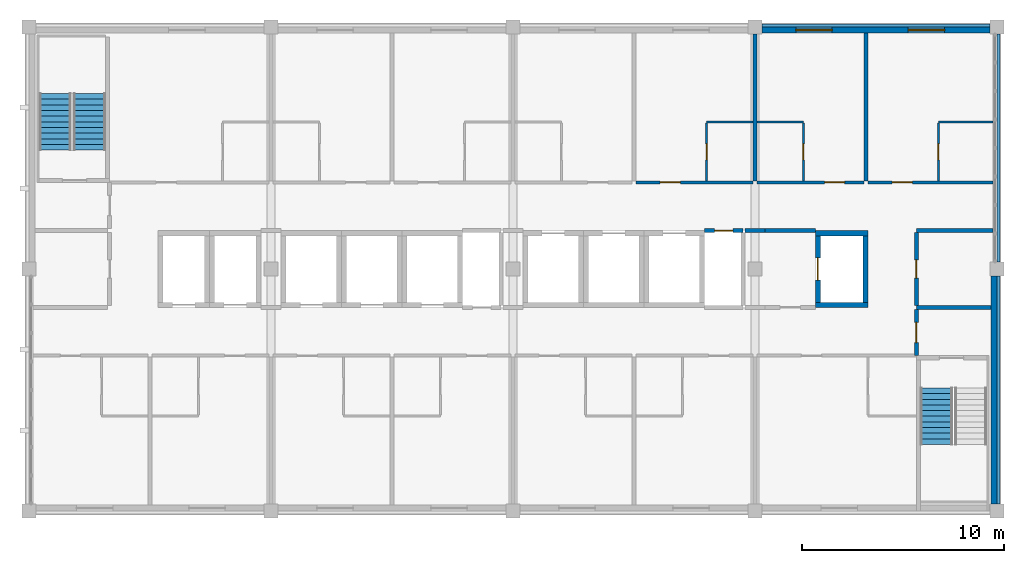
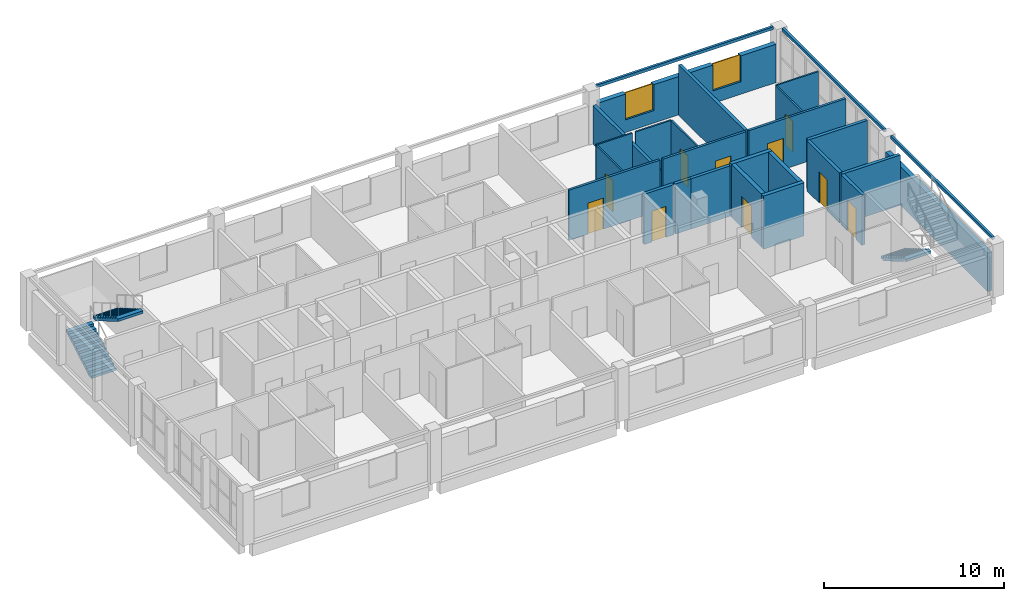
# One storey, part 9 of 11: 27 walls, 10 doors, 3 stair flights, 2 windows, 12 openings, 2 elements without a shape of their own.
"""IFC4 building model written with IfcOpenShell, lengths in metres."""

from ifc_helpers import new_model, si_unit, direction, frame, frame_2d, origin, place, context, subcontext, project, spatial, polyline, rectangle, outline, extrude, material, layer, layer_set, type_object, element, fill, aggregate, save


model = new_model("IFC4")

# Units and contexts
model_context = context("Model", 3, precision=1e-05, world=origin(), true_north=direction((0.0, 1.0)))
body_context = subcontext(model_context, "Body", "Model", "MODEL_VIEW")
ifc_project = project(units=[si_unit("LENGTHUNIT", "METRE"), si_unit("AREAUNIT", "SQUARE_METRE"), si_unit("VOLUMEUNIT", "CUBIC_METRE"), si_unit("PLANEANGLEUNIT", "RADIAN"), si_unit("MASSUNIT", "GRAM", prefix="KILO")], contexts=[model_context])

# Site, building, storey
site_placement = place(None, origin())
site = spatial("IfcSite", under=ifc_project, at=site_placement, CompositionType="ELEMENT")
building_placement = place(site_placement, origin())
building = spatial("IfcBuilding", under=site, at=building_placement, Name="Lilac Gate Convention Centre", CompositionType="ELEMENT")
storey_placement = place(building_placement, frame((0.0, 0.0, 64.199951171875)))
storey = spatial("IfcBuildingStorey", under=building, at=storey_placement, Name="L16", CompositionType="ELEMENT", Elevation=64.199951171875)

# Walls
ifc_material_1 = material(Name="Concrete C40", Category="concrete")
ifc_layer_1 = layer(ifc_material_1, 0.25)
ifc_layer_set_1 = layer_set([ifc_layer_1], Name="Concrete C40")
wall_type_1 = type_object("IfcWallType", Name="Core wall 250 C40", PredefinedType="SHEAR", material=ifc_layer_set_1)
for number, where, z_axis, x_axis, name in (
    (1, (81.0, 232.22509765625, 0.0), (0.0, 0.0, 1.0), (1.0, 0.0, 0.0), "CRW5 core wall TC L16 33"),
    (2, (81.0, 235.77490234375, 0.0), (0.0, 0.0, 1.0), (1.0, 0.0, 0.0), "CRW5 core wall TC L16 34"),
):
    element("IfcWall", number, at=place(storey_placement, frame(where, z_axis=z_axis, x_axis=x_axis)), inside=storey, type_object=wall_type_1, Name=name, PredefinedType="SHEAR", context=body_context, shape_type="SweptSolid", body=[
        extrude(rectangle(XDim=2.60009765625, YDim=0.25, at=frame_2d((1.300048828125, 0.0))), origin(), (0.0, 0.0, 1.0), 3.60009765625),
    ])

# Wall, opening, door
wall_1_placement = place(storey_placement, frame((81.125, 232.35009765625, 0.0), z_axis=(0.0, 0.0, 1.0), x_axis=(0.0, 1.0, 0.0)))
wall_1 = element("IfcWall", 3, at=wall_1_placement, inside=storey, type_object=wall_type_1, Name="CRW5 core wall TC L16 35", PredefinedType="SHEAR", context=body_context, shape_type="SweptSolid", body=[
    extrude(rectangle(XDim=3.2998046875, YDim=0.25, at=frame_2d((1.64990234375, 0.0))), origin(), (0.0, 0.0, 1.0), 3.60009765625),
])
opening_1_placement = place(wall_1_placement, frame((1.10009765625, 0.0, 0.0)))
opening_1 = element("IfcOpeningElement", 4, at=opening_1_placement, cuts=wall_1, Name="Opening T15-044", PredefinedType="OPENING", context=body_context, shape_type="SweptSolid", body=[
    extrude(rectangle(XDim=1.10009765625, YDim=2.10009765625, at=frame_2d((0.550048828125, 1.050048828125))), frame((0.0, 0.135009765625, 0.0), z_axis=(0.0, -1.0, 0.0), x_axis=(1.0, 0.0, 0.0)), (0.0, 0.0, 1.0), 0.27001953125),
])
ifc_material_2 = material(Name="Stainless steel 304", Category="steel")
door_type_1 = type_object("IfcDoorType", Name="Lift landing door 1100", OperationType="SLIDING_TO_LEFT", PredefinedType="DOOR", material=ifc_material_2)
door_1_placement = place(opening_1_placement, origin())
door_1 = element("IfcDoor", 5, at=door_1_placement, inside=storey, type_object=door_type_1, Name="Lift landing door TF1 L16", OperationType="SLIDING_TO_LEFT", OverallHeight=2.10009765625, OverallWidth=1.10009765625, PredefinedType="DOOR", context=body_context, shape_type="SweptSolid", body=[
    extrude(rectangle(XDim=1.10009765625, YDim=2.10009765625, at=frame_2d((0.550048828125, 1.050048828125))), frame((0.0, 0.02490234375, 0.0), z_axis=(0.0, -1.0, 0.0), x_axis=(1.0, 0.0, 0.0)), (0.0, 0.0, 1.0), 0.050048828125),
])
fill(opening_1, door_1)

# Wall
wall_2_placement = place(storey_placement, frame((83.47509765625, 232.35009765625, 0.0), z_axis=(0.0, 0.0, 1.0), x_axis=(0.0, 1.0, 0.0)))
element("IfcWall", 6, at=wall_2_placement, inside=storey, type_object=wall_type_1, Name="CRW5 core wall TC L16 36", PredefinedType="SHEAR", context=body_context, shape_type="SweptSolid", body=[
    extrude(rectangle(XDim=3.2998046875, YDim=0.25, at=frame_2d((1.64990234375, 0.0))), origin(), (0.0, 0.0, 1.0), 3.60009765625),
])

# Wall, opening, door
ifc_material_3 = material(Name="Gypsum board on steel stud", Category="steel")
ifc_layer_2 = layer(ifc_material_3, 0.14990234375)
ifc_layer_set_2 = layer_set([ifc_layer_2], Name="Gypsum board on steel stud")
wall_type_2 = type_object("IfcWallType", Name="Corridor wall 150", PredefinedType="PARTITIONING", material=ifc_layer_set_2)
wall_3_placement = place(storey_placement, frame((72.10009765625, 238.300048828125, 0.0), z_axis=(0.0, 0.0, 1.0), x_axis=(1.0, 0.0, 0.0)))
wall_3 = element("IfcWall", 7, at=wall_3_placement, inside=storey, type_object=wall_type_2, Name="Corridor wall 150 front 1612", PredefinedType="PARTITIONING", context=body_context, shape_type="SweptSolid", body=[
    extrude(rectangle(XDim=5.7998046875, YDim=0.14990234375, at=frame_2d((2.89990234375, 0.0))), origin(), (0.0, 0.0, 1.0), 3.400146484375),
])
opening_2_placement = place(wall_3_placement, frame((1.199951171875, 0.0, 0.0)))
opening_2 = element("IfcOpeningElement", 8, at=opening_2_placement, cuts=wall_3, Name="Opening T15-030", PredefinedType="OPENING", context=body_context, shape_type="SweptSolid", body=[
    extrude(rectangle(XDim=1.0, YDim=2.10009765625, at=frame_2d((0.5, 1.050048828125))), frame((0.0, 0.0849609375, 0.0), z_axis=(0.0, -1.0, 0.0), x_axis=(1.0, 0.0, 0.0)), (0.0, 0.0, 1.0), 0.169921875),
])
ifc_material_4 = material(Name="Timber", Category="wood")
door_type_2 = type_object("IfcDoorType", Name="Guest room entrance door 1000", OperationType="SINGLE_SWING_LEFT", PredefinedType="DOOR", material=ifc_material_4)
door_2_placement = place(opening_2_placement, origin())
door_2 = element("IfcDoor", 9, at=door_2_placement, inside=storey, type_object=door_type_2, Name="Guest room door 1612", OperationType="SINGLE_SWING_LEFT", OverallHeight=2.10009765625, OverallWidth=1.0, PredefinedType="DOOR", context=body_context, shape_type="SweptSolid", body=[
    extrude(rectangle(XDim=1.0, YDim=2.10009765625, at=frame_2d((0.5, 1.050048828125))), frame((0.0, 0.02490234375, 0.0), z_axis=(0.0, -1.0, 0.0), x_axis=(1.0, 0.0, 0.0)), (0.0, 0.0, 1.0), 0.050048828125),
])
fill(opening_2, door_2)

wall_4_placement = place(storey_placement, frame((78.10009765625, 238.300048828125, 0.0), z_axis=(0.0, 0.0, 1.0), x_axis=(1.0, 0.0, 0.0)))
wall_4 = element("IfcWall", 10, at=wall_4_placement, inside=storey, type_object=wall_type_2, Name="Corridor wall 150 front 1613", PredefinedType="PARTITIONING", context=body_context, shape_type="SweptSolid", body=[
    extrude(rectangle(XDim=5.2998046875, YDim=0.14990234375, at=frame_2d((2.64990234375, 0.0))), origin(), (0.0, 0.0, 1.0), 3.400146484375),
])
opening_3_placement = place(wall_4_placement, frame((3.35009765625, 0.0, 0.0)))
opening_3 = element("IfcOpeningElement", 11, at=opening_3_placement, cuts=wall_4, Name="Opening T15-032", PredefinedType="OPENING", context=body_context, shape_type="SweptSolid", body=[
    extrude(rectangle(XDim=1.0, YDim=2.10009765625, at=frame_2d((0.5, 1.050048828125))), frame((0.0, 0.0849609375, 0.0), z_axis=(0.0, -1.0, 0.0), x_axis=(1.0, 0.0, 0.0)), (0.0, 0.0, 1.0), 0.169921875),
])
door_3_placement = place(opening_3_placement, origin())
door_3 = element("IfcDoor", 12, at=door_3_placement, inside=storey, type_object=door_type_2, Name="Guest room door 1613", OperationType="SINGLE_SWING_LEFT", OverallHeight=2.10009765625, OverallWidth=1.0, PredefinedType="DOOR", context=body_context, shape_type="SweptSolid", body=[
    extrude(rectangle(XDim=1.0, YDim=2.10009765625, at=frame_2d((0.5, 1.050048828125))), frame((0.0, 0.02490234375, 0.0), z_axis=(0.0, -1.0, 0.0), x_axis=(1.0, 0.0, 0.0)), (0.0, 0.0, 1.0), 0.050048828125),
])
fill(opening_3, door_3)

wall_5_placement = place(storey_placement, frame((83.60009765625, 238.300048828125, 0.0), z_axis=(0.0, 0.0, 1.0), x_axis=(1.0, 0.0, 0.0)))
wall_5 = element("IfcWall", 13, at=wall_5_placement, inside=storey, type_object=wall_type_2, Name="Corridor wall 150 front 1614", PredefinedType="PARTITIONING", context=body_context, shape_type="SweptSolid", body=[
    extrude(rectangle(XDim=6.19970703125, YDim=0.14990234375, at=frame_2d((3.099853515625, 0.0))), origin(), (0.0, 0.0, 1.0), 3.400146484375),
])
opening_4_placement = place(wall_5_placement, frame((1.199951171875, 0.0, 0.0)))
opening_4 = element("IfcOpeningElement", 14, at=opening_4_placement, cuts=wall_5, Name="Opening T15-034", PredefinedType="OPENING", context=body_context, shape_type="SweptSolid", body=[
    extrude(rectangle(XDim=1.0, YDim=2.10009765625, at=frame_2d((0.5, 1.050048828125))), frame((0.0, 0.0849609375, 0.0), z_axis=(0.0, -1.0, 0.0), x_axis=(1.0, 0.0, 0.0)), (0.0, 0.0, 1.0), 0.169921875),
])
door_4_placement = place(opening_4_placement, origin())
door_4 = element("IfcDoor", 15, at=door_4_placement, inside=storey, type_object=door_type_2, Name="Guest room door 1614", OperationType="SINGLE_SWING_LEFT", OverallHeight=2.10009765625, OverallWidth=1.0, PredefinedType="DOOR", context=body_context, shape_type="SweptSolid", body=[
    extrude(rectangle(XDim=1.0, YDim=2.10009765625, at=frame_2d((0.5, 1.050048828125))), frame((0.0, 0.02490234375, 0.0), z_axis=(0.0, -1.0, 0.0), x_axis=(1.0, 0.0, 0.0)), (0.0, 0.0, 1.0), 0.050048828125),
])
fill(opening_4, door_4)

# Wall
ifc_layer_3 = layer(ifc_material_3, 0.10009765625)
ifc_layer_set_3 = layer_set([ifc_layer_3], Name="Gypsum board on steel stud")
wall_type_3 = type_object("IfcWallType", Name="En-suite wall 100", PredefinedType="PARTITIONING", material=ifc_layer_set_3)
wall_6_placement = place(storey_placement, frame((75.60009765625, 241.300048828125, 0.0), z_axis=(0.0, 0.0, 1.0), x_axis=(1.0, 0.0, 0.0)))
element("IfcWall", 16, at=wall_6_placement, inside=storey, type_object=wall_type_3, Name="En-suite wall 100 bath 1612", PredefinedType="PARTITIONING", context=body_context, shape_type="SweptSolid", body=[
    extrude(rectangle(XDim=2.2998046875, YDim=0.10009765625, at=frame_2d((1.14990234375, 0.0))), origin(), (0.0, 0.0, 1.0), 3.400146484375),
])

# Wall, opening, door
wall_7_placement = place(storey_placement, frame((75.60009765625, 238.375, 0.0), z_axis=(0.0, 0.0, 1.0), x_axis=(0.0, 1.0, 0.0)))
wall_7 = element("IfcWall", 17, at=wall_7_placement, inside=storey, type_object=wall_type_3, Name="En-suite wall 100 bath side 1612", PredefinedType="PARTITIONING", context=body_context, shape_type="SweptSolid", body=[
    extrude(rectangle(XDim=2.875, YDim=0.10009765625, at=frame_2d((1.4375, 0.0))), origin(), (0.0, 0.0, 1.0), 3.400146484375),
])
opening_5_placement = place(wall_7_placement, frame((1.03759765625, 0.0, 0.0)))
opening_5 = element("IfcOpeningElement", 18, at=opening_5_placement, cuts=wall_7, Name="Opening T15-031", PredefinedType="OPENING", context=body_context, shape_type="SweptSolid", body=[
    extrude(rectangle(XDim=0.800048828125, YDim=2.10009765625, at=frame_2d((0.39990234375, 1.050048828125))), frame((0.0, 0.06005859375, 0.0), z_axis=(0.0, -1.0, 0.0), x_axis=(1.0, 0.0, 0.0)), (0.0, 0.0, 1.0), 0.1201171875),
])
door_type_3 = type_object("IfcDoorType", Name="En-suite door 800", OperationType="SINGLE_SWING_LEFT", PredefinedType="DOOR", material=ifc_material_4)
door_5_placement = place(opening_5_placement, origin())
door_5 = element("IfcDoor", 19, at=door_5_placement, inside=storey, type_object=door_type_3, Name="En-suite door 1612", OperationType="SINGLE_SWING_LEFT", OverallHeight=2.10009765625, OverallWidth=0.800048828125, PredefinedType="DOOR", context=body_context, shape_type="SweptSolid", body=[
    extrude(rectangle(XDim=0.800048828125, YDim=2.10009765625, at=frame_2d((0.39990234375, 1.050048828125))), frame((0.0, 0.02490234375, 0.0), z_axis=(0.0, -1.0, 0.0), x_axis=(1.0, 0.0, 0.0)), (0.0, 0.0, 1.0), 0.050048828125),
])
fill(opening_5, door_5)

# Wall
wall_8_placement = place(storey_placement, frame((78.10009765625, 241.300048828125, 0.0), z_axis=(0.0, 0.0, 1.0), x_axis=(1.0, 0.0, 0.0)))
element("IfcWall", 20, at=wall_8_placement, inside=storey, type_object=wall_type_3, Name="En-suite wall 100 bath 1613", PredefinedType="PARTITIONING", context=body_context, shape_type="SweptSolid", body=[
    extrude(rectangle(XDim=2.2998046875, YDim=0.10009765625, at=frame_2d((1.14990234375, 0.0))), origin(), (0.0, 0.0, 1.0), 3.400146484375),
])

# Wall, opening, door
wall_9_placement = place(storey_placement, frame((80.39990234375, 241.25, 0.0), z_axis=(0.0, 0.0, 1.0), x_axis=(0.0, -1.0, 0.0)))
wall_9 = element("IfcWall", 21, at=wall_9_placement, inside=storey, type_object=wall_type_3, Name="En-suite wall 100 bath side 1613", PredefinedType="PARTITIONING", context=body_context, shape_type="SweptSolid", body=[
    extrude(rectangle(XDim=2.875, YDim=0.10009765625, at=frame_2d((1.4375, 0.0))), origin(), (0.0, 0.0, 1.0), 3.400146484375),
])
opening_6_placement = place(wall_9_placement, frame((1.03759765625, 0.0, 0.0)))
opening_6 = element("IfcOpeningElement", 22, at=opening_6_placement, cuts=wall_9, Name="Opening T15-033", PredefinedType="OPENING", context=body_context, shape_type="SweptSolid", body=[
    extrude(rectangle(XDim=0.800048828125, YDim=2.10009765625, at=frame_2d((0.39990234375, 1.050048828125))), frame((0.0, 0.06005859375, 0.0), z_axis=(0.0, -1.0, 0.0), x_axis=(1.0, 0.0, 0.0)), (0.0, 0.0, 1.0), 0.1201171875),
])
door_6_placement = place(opening_6_placement, origin())
door_6 = element("IfcDoor", 23, at=door_6_placement, inside=storey, type_object=door_type_3, Name="En-suite door 1613", OperationType="SINGLE_SWING_RIGHT", OverallHeight=2.10009765625, OverallWidth=0.800048828125, PredefinedType="DOOR", context=body_context, shape_type="SweptSolid", body=[
    extrude(rectangle(XDim=0.800048828125, YDim=2.10009765625, at=frame_2d((0.39990234375, 1.050048828125))), frame((0.0, 0.02490234375, 0.0), z_axis=(0.0, -1.0, 0.0), x_axis=(1.0, 0.0, 0.0)), (0.0, 0.0, 1.0), 0.050048828125),
])
fill(opening_6, door_6)

# Wall
wall_10_placement = place(storey_placement, frame((87.10009765625, 241.300048828125, 0.0), z_axis=(0.0, 0.0, 1.0), x_axis=(1.0, 0.0, 0.0)))
element("IfcWall", 24, at=wall_10_placement, inside=storey, type_object=wall_type_3, Name="En-suite wall 100 bath 1614", PredefinedType="PARTITIONING", context=body_context, shape_type="SweptSolid", body=[
    extrude(rectangle(XDim=2.69970703125, YDim=0.10009765625, at=frame_2d((1.349853515625, 0.0))), origin(), (0.0, 0.0, 1.0), 3.400146484375),
])

# Wall, opening, door
wall_11_placement = place(storey_placement, frame((87.10009765625, 238.375, 0.0), z_axis=(0.0, 0.0, 1.0), x_axis=(0.0, 1.0, 0.0)))
wall_11 = element("IfcWall", 25, at=wall_11_placement, inside=storey, type_object=wall_type_3, Name="En-suite wall 100 bath side 1614", PredefinedType="PARTITIONING", context=body_context, shape_type="SweptSolid", body=[
    extrude(rectangle(XDim=2.875, YDim=0.10009765625, at=frame_2d((1.4375, 0.0))), origin(), (0.0, 0.0, 1.0), 3.400146484375),
])
opening_7_placement = place(wall_11_placement, frame((1.03759765625, 0.0, 0.0)))
opening_7 = element("IfcOpeningElement", 26, at=opening_7_placement, cuts=wall_11, Name="Opening T15-035", PredefinedType="OPENING", context=body_context, shape_type="SweptSolid", body=[
    extrude(rectangle(XDim=0.800048828125, YDim=2.10009765625, at=frame_2d((0.39990234375, 1.050048828125))), frame((0.0, 0.06005859375, 0.0), z_axis=(0.0, -1.0, 0.0), x_axis=(1.0, 0.0, 0.0)), (0.0, 0.0, 1.0), 0.1201171875),
])
door_7_placement = place(opening_7_placement, origin())
door_7 = element("IfcDoor", 27, at=door_7_placement, inside=storey, type_object=door_type_3, Name="En-suite door 1614", OperationType="SINGLE_SWING_LEFT", OverallHeight=2.10009765625, OverallWidth=0.800048828125, PredefinedType="DOOR", context=body_context, shape_type="SweptSolid", body=[
    extrude(rectangle(XDim=0.800048828125, YDim=2.10009765625, at=frame_2d((0.39990234375, 1.050048828125))), frame((0.0, 0.02490234375, 0.0), z_axis=(0.0, -1.0, 0.0), x_axis=(1.0, 0.0, 0.0)), (0.0, 0.0, 1.0), 0.050048828125),
])
fill(opening_7, door_7)

# Walls
ifc_layer_4 = layer(ifc_material_3, 0.199951171875)
ifc_layer_set_4 = layer_set([ifc_layer_4], Name="Gypsum board on steel stud")
wall_type_4 = type_object("IfcWallType", Name="Guest room party wall 200", PredefinedType="PARTITIONING", material=ifc_layer_set_4)
wall_12_placement = place(storey_placement, frame((78.0, 245.64990234375, 0.0), z_axis=(0.0, 0.0, 1.0), x_axis=(0.0, -1.0, 0.0)))
element("IfcWall", 28, at=wall_12_placement, inside=storey, type_object=wall_type_4, Name="Guest room party wall 200 party 78.0", PredefinedType="PARTITIONING", context=body_context, shape_type="SweptSolid", body=[
    extrude(rectangle(XDim=7.27490234375, YDim=0.199951171875, at=frame_2d((3.637451171875, 0.0))), origin(), (0.0, 0.0, 1.0), 2.60009765625),
])
wall_13_placement = place(storey_placement, frame((83.5, 245.7001953125, 0.0), z_axis=(0.0, 0.0, 1.0), x_axis=(0.0, -1.0, 0.0)))
element("IfcWall", 29, at=wall_13_placement, inside=storey, type_object=wall_type_4, Name="Guest room party wall 200 party 83.5", PredefinedType="PARTITIONING", context=body_context, shape_type="SweptSolid", body=[
    extrude(rectangle(XDim=7.3251953125, YDim=0.199951171875, at=frame_2d((3.66259765625, 0.0))), origin(), (0.0, 0.0, 1.0), 3.400146484375),
])
ifc_layer_5 = layer(ifc_material_3, 0.199951171875)
ifc_layer_set_5 = layer_set([ifc_layer_5], Name="Gypsum board on steel stud")
wall_type_5 = type_object("IfcWallType", Name="Lobby wall 200", PredefinedType="PARTITIONING", material=ifc_layer_set_5)
wall_14_placement = place(storey_placement, frame((86.0, 232.10009765625, 0.0), z_axis=(0.0, 0.0, 1.0), x_axis=(1.0, 0.0, 0.0)))
element("IfcWall", 30, at=wall_14_placement, inside=storey, type_object=wall_type_5, Name="Lobby wall 200 STL-N", PredefinedType="PARTITIONING", context=body_context, shape_type="SweptSolid", body=[
    extrude(rectangle(XDim=3.7001953125, YDim=0.199951171875, at=frame_2d((1.85009765625, 0.0))), origin(), (0.0, 0.0, 1.0), 3.400146484375),
])
wall_15_placement = place(storey_placement, frame((78.5, 235.89990234375, 0.0), z_axis=(0.0, 0.0, 1.0), x_axis=(1.0, 0.0, 0.0)))
element("IfcWall", 31, at=wall_15_placement, inside=storey, type_object=wall_type_5, Name="Lobby wall 200 FFL-N", PredefinedType="PARTITIONING", context=body_context, shape_type="SweptSolid", body=[
    extrude(rectangle(XDim=2.5, YDim=0.199951171875, at=frame_2d((1.25, 0.0))), origin(), (0.0, 0.0, 1.0), 3.400146484375),
])

# Wall, opening, door
wall_16_placement = place(storey_placement, frame((86.0, 232.0, 0.0), z_axis=(0.0, 0.0, 1.0), x_axis=(0.0, -1.0, 0.0)))
wall_16 = element("IfcWall", 32, at=wall_16_placement, inside=storey, type_object=wall_type_5, Name="Lobby wall 200 STL-SE-W", PredefinedType="PARTITIONING", context=body_context, shape_type="SweptSolid", body=[
    extrude(rectangle(XDim=2.300048828125, YDim=0.199951171875, at=frame_2d((1.14990234375, 0.0))), origin(), (0.0, 0.0, 1.0), 3.400146484375),
])
opening_8_placement = place(wall_16_placement, frame((0.64990234375, 0.0, 0.0)))
opening_8 = element("IfcOpeningElement", 33, at=opening_8_placement, cuts=wall_16, Name="Opening T15-007", PredefinedType="OPENING", context=body_context, shape_type="SweptSolid", body=[
    extrude(rectangle(XDim=1.0, YDim=2.10009765625, at=frame_2d((0.5, 1.050048828125))), frame((0.0, 0.10986328125, 0.0), z_axis=(0.0, -1.0, 0.0), x_axis=(1.0, 0.0, 0.0)), (0.0, 0.0, 1.0), 0.219970703125),
])
ifc_material_5 = material(Name="Steel Q235B", Category="steel")
door_type_4 = type_object("IfcDoorType", Name="Lobby door 1000", OperationType="SINGLE_SWING_LEFT", PredefinedType="DOOR", material=ifc_material_5)
door_8_placement = place(opening_8_placement, origin())
door_8 = element("IfcDoor", 34, at=door_8_placement, inside=storey, type_object=door_type_4, Name="Stair lobby door SE", OperationType="SINGLE_SWING_LEFT", OverallHeight=2.10009765625, OverallWidth=1.0, PredefinedType="DOOR", context=body_context, shape_type="SweptSolid", body=[
    extrude(rectangle(XDim=1.0, YDim=2.10009765625, at=frame_2d((0.5, 1.050048828125))), frame((0.0, 0.02490234375, 0.0), z_axis=(0.0, -1.0, 0.0), x_axis=(1.0, 0.0, 0.0)), (0.0, 0.0, 1.0), 0.050048828125),
])
fill(opening_8, door_8)

# Walls
ifc_material_6 = material(Name="Concrete C40 precast", Category="concrete")
ifc_layer_6 = layer(ifc_material_6, 0.1298828125)
ifc_material_7 = material(Name="Terracotta glazed cladding", Category="masonry")
ifc_layer_7 = layer(ifc_material_7, 0.02001953125)
ifc_layer_set_6 = layer_set([ifc_layer_6, ifc_layer_7], Name="Concrete C40 precast, Terracotta glazed cladding")
wall_type_6 = type_object("IfcWallType", Name="Precast band terracotta 150", PredefinedType="STANDARD", material=ifc_layer_set_6)
for number, where, z_axis, x_axis, name in (
    (35, (90.074951171875, 222.35009765625, 3.400146484375), (0.0, 0.0, 1.0), (0.0, 1.0, 0.0), "Precast band E L16 1"),
    (36, (90.074951171875, 234.35009765625, 3.400146484375), (0.0, 0.0, 1.0), (0.0, 1.0, 0.0), "Precast band E L16 2"),
    (37, (89.64990234375, 246.074951171875, 3.400146484375), (0.0, 0.0, 1.0), (-1.0, 0.0, 0.0), "Precast band N L16 1"),
):
    element("IfcWall", number, at=place(storey_placement, frame(where, z_axis=z_axis, x_axis=x_axis)), inside=storey, type_object=wall_type_6, Name=name, PredefinedType="STANDARD", context=body_context, shape_type="SweptSolid", body=[
        extrude(rectangle(XDim=11.2998046875, YDim=0.14990234375, at=frame_2d((5.64990234375, 0.0))), origin(), (0.0, 0.0, 1.0), 0.199951171875),
    ])
ifc_material_8 = material(Name="Ochre mineral render")
ifc_layer_8 = layer(ifc_material_8, 0.02001953125)
ifc_layer_9 = layer(ifc_material_6, 0.06005859375)
ifc_material_9 = material(Name="Ventilated air cavity")
ifc_layer_10 = layer(ifc_material_9, 0.030029296875)
ifc_material_10 = material(Name="Mineral wool insulation")
ifc_layer_11 = layer(ifc_material_10, 0.1201171875)
ifc_material_11 = material(Name="Steel stud Q345 and gypsum lining", Category="steel")
ifc_layer_12 = layer(ifc_material_11, 0.070068359375)
ifc_layer_set_7 = layer_set([ifc_layer_8, ifc_layer_9, ifc_layer_10, ifc_layer_11, ifc_layer_12], Name="Ochre mineral render, Concrete C40 precast, Ventilated air cavity, Mineral wool insulation, Steel stud Q345 and gypsum lining")
wall_type_7 = type_object("IfcWallType", Name="Precast panel wall ochre 300", PredefinedType="STANDARD", material=ifc_layer_set_7)
wall_17_placement = place(storey_placement, frame((89.85009765625, 222.35009765625, 0.0), z_axis=(0.0, 0.0, 1.0), x_axis=(0.0, 1.0, 0.0)))
element("IfcWall", 38, at=wall_17_placement, inside=storey, type_object=wall_type_7, Name="External wall E L16 1", PredefinedType="STANDARD", context=body_context, shape_type="SweptSolid", body=[
    extrude(rectangle(XDim=11.2998046875, YDim=0.300048828125, at=frame_2d((5.64990234375, 0.0))), origin(), (0.0, 0.0, 1.0), 2.60009765625),
])

# Wall, openings, windows
wall_18_placement = place(storey_placement, frame((89.64990234375, 245.85009765625, 0.0), z_axis=(0.0, 0.0, 1.0), x_axis=(-1.0, 0.0, 0.0)))
wall_18 = element("IfcWall", 39, at=wall_18_placement, inside=storey, type_object=wall_type_7, Name="External wall N L16 1", PredefinedType="STANDARD", context=body_context, shape_type="SweptSolid", body=[
    extrude(rectangle(XDim=11.2998046875, YDim=0.300048828125, at=frame_2d((5.64990234375, 0.0))), origin(), (0.0, 0.0, 1.0), 2.60009765625),
])
opening_9_placement = place(wall_18_placement, frame((7.824951171875, 0.0, 0.85009765625)))
opening_9 = element("IfcOpeningElement", 40, at=opening_9_placement, cuts=wall_18, Name="Opening W1", PredefinedType="OPENING", context=body_context, shape_type="SweptSolid", body=[
    extrude(rectangle(XDim=1.800048828125, YDim=1.75, at=frame_2d((0.89990234375, 0.875))), frame((0.0, 0.159912109375, 0.0), z_axis=(0.0, -1.0, 0.0), x_axis=(1.0, 0.0, 0.0)), (0.0, 0.0, 1.0), 0.320068359375),
])
opening_10_placement = place(wall_18_placement, frame((2.25, 0.0, 0.85009765625)))
opening_10 = element("IfcOpeningElement", 41, at=opening_10_placement, cuts=wall_18, Name="Opening W1", PredefinedType="OPENING", context=body_context, shape_type="SweptSolid", body=[
    extrude(rectangle(XDim=1.800048828125, YDim=1.75, at=frame_2d((0.89990234375, 0.875))), frame((0.0, 0.159912109375, 0.0), z_axis=(0.0, -1.0, 0.0), x_axis=(1.0, 0.0, 0.0)), (0.0, 0.0, 1.0), 0.320068359375),
])
ifc_material_12 = material(Name="Aluminium framed double glazing", Category="aluminium")
window_type = type_object("IfcWindowType", Name="Guest room window 1800 x 1750", PartitioningType="DOUBLE_PANEL_VERTICAL", PredefinedType="WINDOW", material=ifc_material_12)
window_1_placement = place(opening_9_placement, origin())
window_1 = element("IfcWindow", 42, at=window_1_placement, inside=storey, type_object=window_type, Name="Window Guest N L16", OverallHeight=1.75, OverallWidth=1.800048828125, PartitioningType="SINGLE_PANEL", PredefinedType="WINDOW", context=body_context, shape_type="SweptSolid", body=[
    extrude(rectangle(XDim=1.800048828125, YDim=1.75, at=frame_2d((0.89990234375, 0.875))), frame((0.0, 0.030029296875, 0.0), z_axis=(0.0, -1.0, 0.0), x_axis=(1.0, 0.0, 0.0)), (0.0, 0.0, 1.0), 0.06005859375),
])
fill(opening_9, window_1)
window_2_placement = place(opening_10_placement, origin())
window_2 = element("IfcWindow", 43, at=window_2_placement, inside=storey, type_object=window_type, Name="Window Guest N L16", OverallHeight=1.75, OverallWidth=1.800048828125, PartitioningType="SINGLE_PANEL", PredefinedType="WINDOW", context=body_context, shape_type="SweptSolid", body=[
    extrude(rectangle(XDim=1.800048828125, YDim=1.75, at=frame_2d((0.89990234375, 0.875))), frame((0.0, 0.030029296875, 0.0), z_axis=(0.0, -1.0, 0.0), x_axis=(1.0, 0.0, 0.0)), (0.0, 0.0, 1.0), 0.06005859375),
])
fill(opening_10, window_2)

# Wall, opening, door
ifc_layer_13 = layer(ifc_material_3, 0.199951171875)
ifc_layer_set_8 = layer_set([ifc_layer_13], Name="Gypsum board on steel stud")
wall_type_8 = type_object("IfcWallType", Name="Riser and store wall 200", PredefinedType="PARTITIONING", material=ifc_layer_set_8)
wall_19_placement = place(storey_placement, frame((77.39990234375, 235.89990234375, 0.0), z_axis=(0.0, 0.0, 1.0), x_axis=(-1.0, 0.0, 0.0)))
wall_19 = element("IfcWall", 44, at=wall_19_placement, inside=storey, type_object=wall_type_8, Name="Riser and store wall 200 RS2-N", PredefinedType="PARTITIONING", context=body_context, shape_type="SweptSolid", body=[
    extrude(rectangle(XDim=1.89990234375, YDim=0.199951171875, at=frame_2d((0.949951171875, 0.0))), origin(), (0.0, 0.0, 1.0), 3.400146484375),
])
opening_11_placement = place(wall_19_placement, frame((0.5, 0.0, 0.0)))
opening_11 = element("IfcOpeningElement", 45, at=opening_11_placement, cuts=wall_19, Name="Opening T15-003", PredefinedType="OPENING", context=body_context, shape_type="SweptSolid", body=[
    extrude(rectangle(XDim=0.89990234375, YDim=2.10009765625, at=frame_2d((0.449951171875, 1.050048828125))), frame((0.0, 0.10986328125, 0.0), z_axis=(0.0, -1.0, 0.0), x_axis=(1.0, 0.0, 0.0)), (0.0, 0.0, 1.0), 0.219970703125),
])
door_type_5 = type_object("IfcDoorType", Name="Riser and store door 900", OperationType="SINGLE_SWING_LEFT", PredefinedType="DOOR", material=ifc_material_5)
door_9_placement = place(opening_11_placement, origin())
door_9 = element("IfcDoor", 46, at=door_9_placement, inside=storey, type_object=door_type_5, Name="Riser room door", OperationType="SINGLE_SWING_LEFT", OverallHeight=2.10009765625, OverallWidth=0.89990234375, PredefinedType="DOOR", context=body_context, shape_type="SweptSolid", body=[
    extrude(rectangle(XDim=0.89990234375, YDim=2.10009765625, at=frame_2d((0.449951171875, 1.050048828125))), frame((0.0, 0.02490234375, 0.0), z_axis=(0.0, -1.0, 0.0), x_axis=(1.0, 0.0, 0.0)), (0.0, 0.0, 1.0), 0.050048828125),
])
fill(opening_11, door_9)

# Walls
wall_20_placement = place(storey_placement, frame((77.5, 235.89990234375, 0.0), z_axis=(0.0, 0.0, 1.0), x_axis=(1.0, 0.0, 0.0)))
element("IfcWall", 47, at=wall_20_placement, inside=storey, type_object=wall_type_8, Name="Riser and store wall 200 NICHE3-N", PredefinedType="PARTITIONING", context=body_context, shape_type="SweptSolid", body=[
    extrude(rectangle(XDim=1.0, YDim=0.199951171875, at=frame_2d((0.5, 0.0))), origin(), (0.0, 0.0, 1.0), 3.400146484375),
])
wall_21_placement = place(storey_placement, frame((86.0, 235.89990234375, 0.0), z_axis=(0.0, 0.0, 1.0), x_axis=(1.0, 0.0, 0.0)))
element("IfcWall", 48, at=wall_21_placement, inside=storey, type_object=wall_type_8, Name="Riser and store wall 200 STE-N", PredefinedType="PARTITIONING", context=body_context, shape_type="SweptSolid", body=[
    extrude(rectangle(XDim=3.7998046875, YDim=0.199951171875, at=frame_2d((1.89990234375, 0.0))), origin(), (0.0, 0.0, 1.0), 3.400146484375),
])

# Wall, opening, door
wall_22_placement = place(storey_placement, frame((86.0, 235.800048828125, 0.0), z_axis=(0.0, 0.0, 1.0), x_axis=(0.0, -1.0, 0.0)))
wall_22 = element("IfcWall", 49, at=wall_22_placement, inside=storey, type_object=wall_type_8, Name="Riser and store wall 200 STE-W", PredefinedType="PARTITIONING", context=body_context, shape_type="SweptSolid", body=[
    extrude(rectangle(XDim=3.60009765625, YDim=0.199951171875, at=frame_2d((1.800048828125, 0.0))), origin(), (0.0, 0.0, 1.0), 3.400146484375),
])
opening_12_placement = place(wall_22_placement, frame((1.35009765625, 0.0, 0.0)))
opening_12 = element("IfcOpeningElement", 50, at=opening_12_placement, cuts=wall_22, Name="Opening T15-005", PredefinedType="OPENING", context=body_context, shape_type="SweptSolid", body=[
    extrude(rectangle(XDim=0.89990234375, YDim=2.10009765625, at=frame_2d((0.449951171875, 1.050048828125))), frame((0.0, 0.10986328125, 0.0), z_axis=(0.0, -1.0, 0.0), x_axis=(1.0, 0.0, 0.0)), (0.0, 0.0, 1.0), 0.219970703125),
])
door_10_placement = place(opening_12_placement, origin())
door_10 = element("IfcDoor", 51, at=door_10_placement, inside=storey, type_object=door_type_5, Name="Linen store door", OperationType="SINGLE_SWING_LEFT", OverallHeight=2.10009765625, OverallWidth=0.89990234375, PredefinedType="DOOR", context=body_context, shape_type="SweptSolid", body=[
    extrude(rectangle(XDim=0.89990234375, YDim=2.10009765625, at=frame_2d((0.449951171875, 1.050048828125))), frame((0.0, 0.02490234375, 0.0), z_axis=(0.0, -1.0, 0.0), x_axis=(1.0, 0.0, 0.0)), (0.0, 0.0, 1.0), 0.050048828125),
])
fill(opening_12, door_10)

# Stair, stair flights
stair_type = type_object("IfcStairType", Name="Exit stair", PredefinedType="DOUBLE_RETURN_STAIR", material=ifc_material_1)
stair_1_placement = place(storey_placement, origin())
stair_1 = element("IfcStair", 52, at=stair_1_placement, inside=storey, type_object=stair_type, Name="Exit stair NW L16", PredefinedType="DOUBLE_RETURN_STAIR")
stair_flight_type = type_object("IfcStairFlightType", Name="Exit stair flight", PredefinedType="STRAIGHT", material=ifc_material_1)
stair_flight_1_placement = place(storey_placement, frame((43.300048828125, 239.89990234375, 0.0), z_axis=(0.0, 0.0, 1.0), x_axis=(0.0, 1.0, 0.0)))
stair_flight_1 = element("IfcStairFlight", 53, at=stair_flight_1_placement, type_object=stair_flight_type, Name="ST-NW flight 1", NumberOfRisers=11, NumberOfTreads=10, PredefinedType="STRAIGHT", RiserHeight=0.163636364, TreadLength=0.28, context=body_context, shape_type="SweptSolid", body=[
    extrude(outline(polyline([(0.0, 0.0), (0.0, 0.16357421875), (0.280029296875, 0.16357421875), (0.280029296875, 0.327392578125), (0.56005859375, 0.327392578125), (0.56005859375, 0.490966796875), (0.840087890625, 0.490966796875), (0.840087890625, 0.654541015625), (1.1201171875, 0.654541015625), (1.1201171875, 0.818115234375), (1.39990234375, 0.818115234375), (1.39990234375, 0.98193359375), (1.679931640625, 0.98193359375), (1.679931640625, 1.1455078125), (1.9599609375, 1.1455078125), (1.9599609375, 1.30908203125), (2.239990234375, 1.30908203125), (2.239990234375, 1.47265625), (2.52001953125, 1.47265625), (2.52001953125, 1.636474609375), (2.800048828125, 1.636474609375), (2.800048828125, 1.800048828125), (2.800048828125, 1.462646484375), (0.297119140625, 0.0), (0.0, 0.0)])), frame((0.0, 0.800048828125, 0.0), z_axis=(0.0, -1.0, 0.0), x_axis=(1.0, 0.0, 0.0)), (0.0, 0.0, 1.0), 1.60009765625),
])
stair_flight_2_placement = place(storey_placement, frame((45.0, 242.699951171875, 1.800048828125), z_axis=(0.0, 0.0, 1.0), x_axis=(0.0, -1.0, 0.0)))
stair_flight_2 = element("IfcStairFlight", 54, at=stair_flight_2_placement, type_object=stair_flight_type, Name="ST-NW flight 2", NumberOfRisers=11, NumberOfTreads=10, PredefinedType="STRAIGHT", RiserHeight=0.163636364, TreadLength=0.28, context=body_context, shape_type="SweptSolid", body=[
    extrude(outline(polyline([(0.0, 0.0), (0.0, 0.16357421875), (0.280029296875, 0.16357421875), (0.280029296875, 0.327392578125), (0.56005859375, 0.327392578125), (0.56005859375, 0.490966796875), (0.840087890625, 0.490966796875), (0.840087890625, 0.654541015625), (1.1201171875, 0.654541015625), (1.1201171875, 0.818115234375), (1.39990234375, 0.818115234375), (1.39990234375, 0.98193359375), (1.679931640625, 0.98193359375), (1.679931640625, 1.1455078125), (1.9599609375, 1.1455078125), (1.9599609375, 1.30908203125), (2.239990234375, 1.30908203125), (2.239990234375, 1.47265625), (2.52001953125, 1.47265625), (2.52001953125, 1.636474609375), (2.800048828125, 1.636474609375), (2.800048828125, 1.800048828125), (2.800048828125, 1.462646484375), (0.297119140625, 0.0), (0.0, 0.0)])), frame((0.0, 0.800048828125, 0.0), z_axis=(0.0, -1.0, 0.0), x_axis=(1.0, 0.0, 0.0)), (0.0, 0.0, 1.0), 1.60009765625),
])
aggregate(stair_1, [stair_flight_1, stair_flight_2])

# Stair, stair flight
stair_2_placement = place(storey_placement, origin())
stair_2 = element("IfcStair", 55, at=stair_2_placement, inside=storey, type_object=stair_type, Name="Exit stair SE L16", PredefinedType="DOUBLE_RETURN_STAIR")
stair_flight_3_placement = place(storey_placement, frame((87.0, 228.10009765625, 0.0), z_axis=(0.0, 0.0, 1.0), x_axis=(0.0, -1.0, 0.0)))
stair_flight_3 = element("IfcStairFlight", 56, at=stair_flight_3_placement, type_object=stair_flight_type, Name="ST-SE flight 1", NumberOfRisers=11, NumberOfTreads=10, PredefinedType="STRAIGHT", RiserHeight=0.163636364, TreadLength=0.28, context=body_context, shape_type="SweptSolid", body=[
    extrude(outline(polyline([(0.0, 0.0), (0.0, 0.16357421875), (0.280029296875, 0.16357421875), (0.280029296875, 0.327392578125), (0.56005859375, 0.327392578125), (0.56005859375, 0.490966796875), (0.840087890625, 0.490966796875), (0.840087890625, 0.654541015625), (1.1201171875, 0.654541015625), (1.1201171875, 0.818115234375), (1.39990234375, 0.818115234375), (1.39990234375, 0.98193359375), (1.679931640625, 0.98193359375), (1.679931640625, 1.1455078125), (1.9599609375, 1.1455078125), (1.9599609375, 1.30908203125), (2.239990234375, 1.30908203125), (2.239990234375, 1.47265625), (2.52001953125, 1.47265625), (2.52001953125, 1.636474609375), (2.800048828125, 1.636474609375), (2.800048828125, 1.800048828125), (2.800048828125, 1.462646484375), (0.297119140625, 0.0), (0.0, 0.0)])), frame((0.0, 0.800048828125, 0.0), z_axis=(0.0, -1.0, 0.0), x_axis=(1.0, 0.0, 0.0)), (0.0, 0.0, 1.0), 1.60009765625),
])
aggregate(stair_2, [stair_flight_3])

save(model, "model.ifc")
